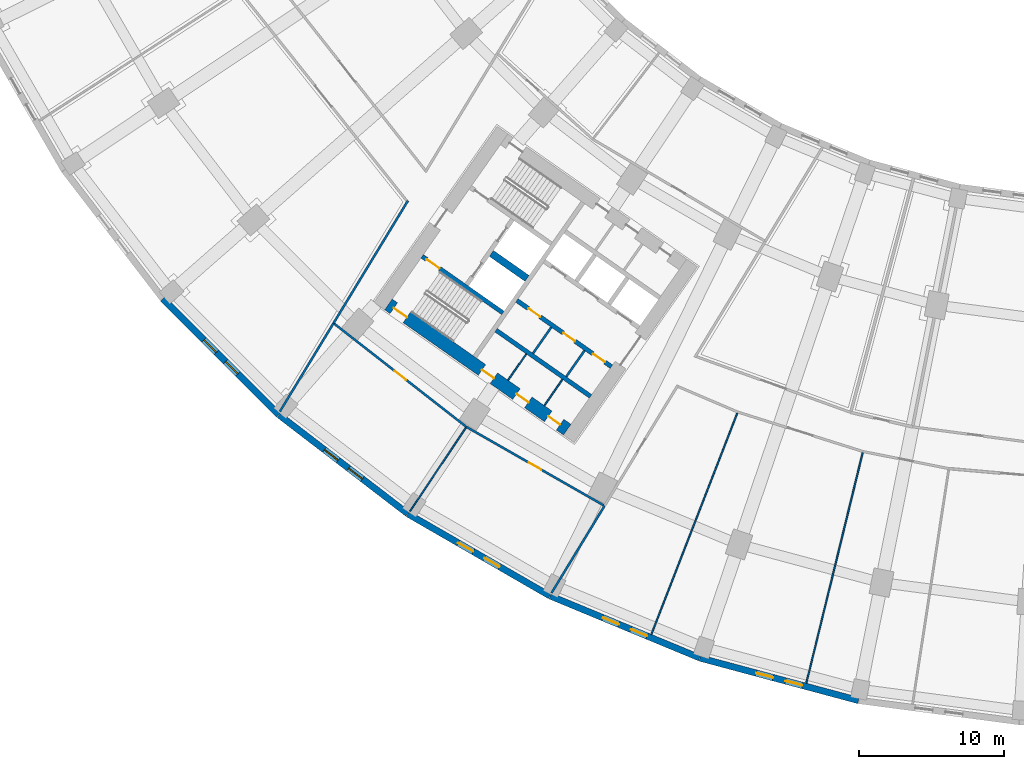
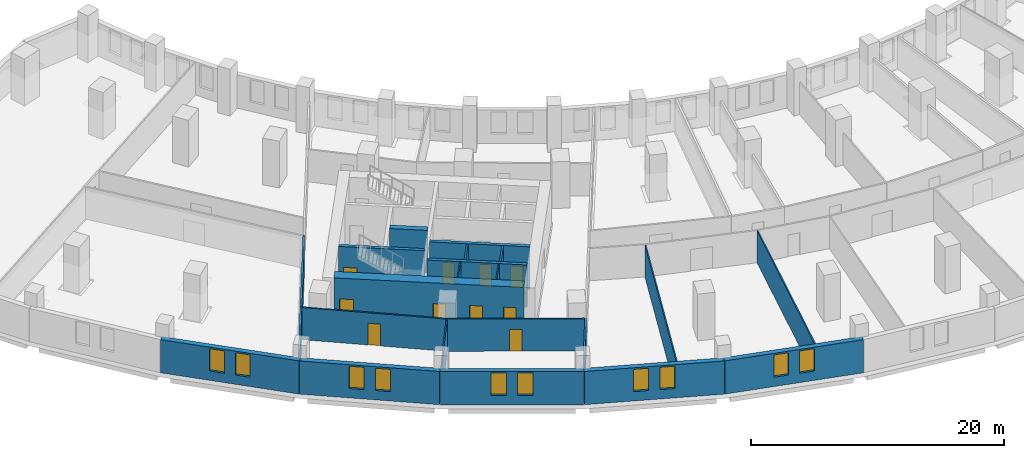
# One storey, part 5 of 20: 22 walls, 10 doors, 10 windows, 20 openings.
"""IFC4 building model written with IfcOpenShell, lengths in metres."""

import ifcopenshell
import ifcopenshell.guid

model = None  # the IFC model being written
_history = None  # IfcOwnerHistory: only IFC2X3 demands one
_inside = {}  # id of a spatial element -> (the spatial element, [elements in it])
_under = {}  # id of a project, library or spatial element -> (it, [spatial elements below it])
_declared = {}  # id of a project -> (the project, [libraries it declares])
_typed = {}  # id of a type object -> (the type object, [elements of that type])
_made_of = {}  # id of a material, layer set ... -> (it, [elements and type objects made of it])


def new_model(schema):
    """Start an empty IFC model of exactly this schema.

    Asked for "IFC4X3", IfcOpenShell would pick the latest addendum, in which some entities
    have other attributes; the version numbers below select the first issue.
    IFC2X3 requires an IfcOwnerHistory on every rooted entity: one is made here for all.
    """
    global model, _history
    if schema == "IFC4X3":
        model = ifcopenshell.file(schema_version=(4, 3, 0, 0))
    else:
        model = ifcopenshell.file(schema=schema)
    _inside.clear()
    _under.clear()
    _declared.clear()
    _typed.clear()
    _made_of.clear()
    _history = None
    if model.schema == "IFC2X3":
        org = make("IfcOrganization", Name="unknown")
        user = make(
            "IfcPersonAndOrganization",
            ThePerson=make("IfcPerson", FamilyName="unknown"),
            TheOrganization=org,
        )
        app = make(
            "IfcApplication",
            ApplicationDeveloper=org,
            Version="unknown",
            ApplicationFullName="unknown",
            ApplicationIdentifier="unknown",
        )
        _history = make(
            "IfcOwnerHistory",
            OwningUser=user,
            OwningApplication=app,
            ChangeAction="ADDED",
            CreationDate=0,
        )
    return model


def make(cls, **values):
    """One entity of the class cls with the attributes given. An attribute that is None is left unset."""
    return model.create_entity(
        cls, **{name: value for name, value in values.items() if value is not None}
    )


def rooted(cls, **values):
    """An entity with a GlobalId (a new one), such as an element, a storey or a relation."""
    return make(cls, GlobalId=ifcopenshell.guid.new(), OwnerHistory=_history, **values)


def si_unit(unit_type, name, prefix=None):
    """IfcSIUnit, for example si_unit("LENGTHUNIT", "METRE", prefix="MILLI")."""
    return make("IfcSIUnit", UnitType=unit_type, Prefix=prefix, Name=name)


def assignment(units):
    """IfcUnitAssignment: the units of a project."""
    return None if units is None else make("IfcUnitAssignment", Units=units)


def point(xyz):
    """IfcCartesianPoint."""
    return None if xyz is None else make("IfcCartesianPoint", Coordinates=xyz)


def direction(xyz):
    """IfcDirection."""
    return None if xyz is None else make("IfcDirection", DirectionRatios=xyz)


def frame(location, z_axis=None, x_axis=None):
    """IfcAxis2Placement3D, a coordinate frame: its origin and axes. An axis left out is left unset."""
    return make(
        "IfcAxis2Placement3D",
        Location=point(location),
        Axis=direction(z_axis),
        RefDirection=direction(x_axis),
    )


def frame_2d(location, x_axis=None):
    """IfcAxis2Placement2D, a coordinate frame in the plane: its origin and x axis."""
    return make(
        "IfcAxis2Placement2D", Location=point(location), RefDirection=direction(x_axis)
    )


def origin():
    """The frame at (0, 0, 0) with its axes left unset."""
    return frame((0.0, 0.0, 0.0))


def place(relative_to, where):
    """IfcLocalPlacement: puts the frame where relative to a parent placement (None: the world)."""
    return make(
        "IfcLocalPlacement", PlacementRelTo=relative_to, RelativePlacement=where
    )


def context(
    kind, dimensions, precision=None, world=None, true_north=None, identifier=None
):
    """IfcGeometricRepresentationContext, for example the 3D "Model" context."""
    return make(
        "IfcGeometricRepresentationContext",
        ContextIdentifier=identifier,
        ContextType=kind,
        CoordinateSpaceDimension=dimensions,
        Precision=precision,
        WorldCoordinateSystem=world,
        TrueNorth=true_north,
    )


def subcontext(parent, identifier, kind, view, scale=None):
    """IfcGeometricRepresentationSubContext, for example "Body" below "Model"."""
    return make(
        "IfcGeometricRepresentationSubContext",
        ContextIdentifier=identifier,
        ContextType=kind,
        ParentContext=parent,
        TargetScale=scale,
        TargetView=view,
    )


def project(units=None, contexts=None):
    """IfcProject with its units and contexts."""
    return rooted(
        "IfcProject",
        Name="project",
        RepresentationContexts=contexts,
        UnitsInContext=assignment(units),
    )


def spatial(cls, under=None, at=None, **own):
    """A site, building, storey or space (cls), placed at a placement, below another one or the project."""
    s = rooted(cls, ObjectPlacement=at, **own)
    if under is not None:
        _under.setdefault(under.id(), (under, []))[1].append(s)
    return s


def profile(cls, at=None, kind="AREA", **sizes):
    """A parametric profile (cls). Its sizes go by their IFC names, for example OverallWidth=200.0."""
    return make(cls, ProfileType=kind, Position=at, **sizes)


def rectangle(**sizes):
    """IfcRectangleProfileDef."""
    return profile("IfcRectangleProfileDef", **sizes)


def extrude(swept, where, along, depth):
    """IfcExtrudedAreaSolid: the profile swept, set in the frame where, extruded along a direction by depth."""
    return make(
        "IfcExtrudedAreaSolid",
        SweptArea=swept,
        Position=where,
        ExtrudedDirection=direction(along),
        Depth=depth,
    )


def shape(context_of_items, identifier, shape_type, items):
    """IfcShapeRepresentation: the items that make up one representation, for example the "Body"."""
    return make(
        "IfcShapeRepresentation",
        ContextOfItems=context_of_items,
        RepresentationIdentifier=identifier,
        RepresentationType=shape_type,
        Items=items,
    )


def material(Name=None, Category=None):
    """IfcMaterial."""
    return make("IfcMaterial", Name=Name, Category=Category)


def layer(
    of_material, thickness, ventilated=None, Name=None, Category=None, Priority=None
):
    """IfcMaterialLayer: one layer of a wall or slab, of a material (None: an air gap)."""
    return make(
        "IfcMaterialLayer",
        Material=of_material,
        LayerThickness=thickness,
        IsVentilated=ventilated,
        Name=Name,
        Category=Category,
        Priority=Priority,
    )


def layer_set(layers, Name=None):
    """IfcMaterialLayerSet."""
    return make("IfcMaterialLayerSet", MaterialLayers=layers, LayerSetName=Name)


def made_of(thing, what):
    """Note that an element or type object is made of a material, layer set ...; save() writes the relation."""
    if what is not None:
        _made_of.setdefault(what.id(), (what, []))[1].append(thing)
    return thing


def type_object(cls, material=None, **own):
    """A type object (cls), such as IfcWallType, which elements share."""
    return made_of(rooted(cls, **own), material)


def element(
    cls,
    number,
    at=None,
    inside=None,
    cuts=None,
    type_object=None,
    material=None,
    context=None,
    identifier="Body",
    shape_type=None,
    held_by="IfcProductDefinitionShape",
    body=None,
    shapes=None,
    **own,
):
    """One element of the class cls, such as IfcWall. Its Tag is "e" and its number.

    at: its placement. inside: the storey or other place that contains it. cuts: it is an
    opening in that element (IfcRelVoidsElement). A single representation is given by context,
    identifier, shape_type and body (its items); several are given by shapes. held_by: the class
    of the entity that holds the representations. save() writes the other relations.
    """
    e = rooted(cls, Tag="e%d" % number, ObjectPlacement=at, **own)
    if body is not None:
        shapes = [shape(context, identifier, shape_type, body)]
    if shapes is not None:
        e.Representation = make(held_by, Representations=shapes)
    if inside is not None:
        _inside.setdefault(inside.id(), (inside, []))[1].append(e)
    if cuts is not None:
        rooted(
            "IfcRelVoidsElement", RelatingBuildingElement=cuts, RelatedOpeningElement=e
        )
    if type_object is not None:
        _typed.setdefault(type_object.id(), (type_object, []))[1].append(e)
    return made_of(e, material)


def fill(opening, filler):
    """IfcRelFillsElement: the door or window that sits in an opening."""
    return rooted(
        "IfcRelFillsElement",
        RelatingOpeningElement=opening,
        RelatedBuildingElement=filler,
    )


def aggregate(whole, parts):
    """IfcRelAggregates: a whole, such as a stair, and the parts it consists of."""
    return rooted("IfcRelAggregates", RelatingObject=whole, RelatedObjects=parts)


def save(model, path):
    """Write the relations noted so far, then the file.

    IfcRelAggregates (storeys below a building ...), IfcRelContainedInSpatialStructure (elements
    in a storey), IfcRelDefinesByType, IfcRelAssociatesMaterial and IfcRelDeclares: one each for
    every whole, place, type object, material and project.
    """
    for whole, parts in _under.values():
        aggregate(whole, parts)
    for where, things in _inside.values():
        rooted(
            "IfcRelContainedInSpatialStructure",
            RelatedElements=things,
            RelatingStructure=where,
        )
    for kind, things in _typed.values():
        rooted("IfcRelDefinesByType", RelatedObjects=things, RelatingType=kind)
    for what, things in _made_of.values():
        rooted("IfcRelAssociatesMaterial", RelatedObjects=things, RelatingMaterial=what)
    for by, libraries in _declared.values():
        rooted("IfcRelDeclares", RelatingContext=by, RelatedDefinitions=libraries)
    model.write(path)


model = new_model("IFC4")

# Units and contexts
model_context = context("Model", 3, precision=1e-05, world=origin(), true_north=direction((0.0, 1.0)))
body_context = subcontext(model_context, "Body", "Model", "MODEL_VIEW")
ifc_project = project(units=[si_unit("LENGTHUNIT", "METRE"), si_unit("AREAUNIT", "SQUARE_METRE"), si_unit("VOLUMEUNIT", "CUBIC_METRE"), si_unit("PLANEANGLEUNIT", "RADIAN"), si_unit("MASSUNIT", "GRAM", prefix="KILO")], contexts=[model_context])

# Site, building, storey
site_placement = place(None, origin())
site = spatial("IfcSite", under=ifc_project, at=site_placement, CompositionType="ELEMENT")
building_placement = place(site_placement, origin())
building = spatial("IfcBuilding", under=site, at=building_placement, Name="Qamariyya Broadcast Tower", CompositionType="ELEMENT")
storey_placement = place(building_placement, frame((0.0, 0.0, 31.5)))
storey = spatial("IfcBuildingStorey", under=building, at=storey_placement, Name="L04", CompositionType="ELEMENT", Elevation=31.5)

# Wall, openings, doors
ifc_material_1 = material(Name="Concrete C70/85", Category="concrete")
ifc_layer_1 = layer(ifc_material_1, 0.89990234375)
ifc_layer_set_1 = layer_set([ifc_layer_1], Name="Core wall 900 mm Concrete C70/85")
wall_type_1 = type_object("IfcWallType", Name="Core wall 900 mm Concrete C70/85", PredefinedType="SHEAR", material=ifc_layer_set_1)
wall_1_placement = place(storey_placement, frame((-36.827392578125, -65.710205078125, 0.0), z_axis=(0.0, 0.0, 1.0), x_axis=(-0.819153391756, 0.573574511963, 0.0)))
wall_1 = element("IfcWall", 1, at=wall_1_placement, inside=storey, type_object=wall_type_1, Name="k-W-L04-WO", PredefinedType="SHEAR", context=body_context, shape_type="SweptSolid", body=[
    extrude(rectangle(XDim=15.04541015625, YDim=0.89990234375, at=frame_2d((7.522705078125, 0.0))), origin(), (0.0, 0.0, 1.0), 4.10009765625),
])
opening_1_placement = place(wall_1_placement, frame((0.60009765625, 0.0, 0.0)))
opening_1 = element("IfcOpeningElement", 2, at=opening_1_placement, cuts=wall_1, Name="Opening KD4-W1", PredefinedType="OPENING", context=body_context, shape_type="SweptSolid", body=[
    extrude(rectangle(XDim=1.0, YDim=2.10009765625, at=frame_2d((0.5, 1.050048828125))), frame((0.0, 0.4599609375, 0.0), z_axis=(0.0, -1.0, 0.0), x_axis=(1.0, 0.0, 0.0)), (0.0, 0.0, 1.0), 0.919921875),
])
opening_2_placement = place(wall_1_placement, frame((3.27490234375, 0.0, 0.0)))
opening_2 = element("IfcOpeningElement", 3, at=opening_2_placement, cuts=wall_1, Name="Opening KD4-W2", PredefinedType="OPENING", context=body_context, shape_type="SweptSolid", body=[
    extrude(rectangle(XDim=1.0, YDim=2.10009765625, at=frame_2d((0.5, 1.050048828125))), frame((0.0, 0.4599609375, 0.0), z_axis=(0.0, -1.0, 0.0), x_axis=(1.0, 0.0, 0.0)), (0.0, 0.0, 1.0), 0.919921875),
])
opening_3_placement = place(wall_1_placement, frame((6.175048828125, 0.0, 0.0)))
opening_3 = element("IfcOpeningElement", 4, at=opening_3_placement, cuts=wall_1, Name="Opening KD4-W3", PredefinedType="OPENING", context=body_context, shape_type="SweptSolid", body=[
    extrude(rectangle(XDim=1.0, YDim=2.10009765625, at=frame_2d((0.5, 1.050048828125))), frame((0.0, 0.4599609375, 0.0), z_axis=(0.0, -1.0, 0.0), x_axis=(1.0, 0.0, 0.0)), (0.0, 0.0, 1.0), 0.919921875),
])
opening_4_placement = place(wall_1_placement, frame((13.495361328125, 0.0, 0.0)))
opening_4 = element("IfcOpeningElement", 5, at=opening_4_placement, cuts=wall_1, Name="Opening KD1-W3", PredefinedType="OPENING", context=body_context, shape_type="SweptSolid", body=[
    extrude(rectangle(XDim=1.10009765625, YDim=2.10009765625, at=frame_2d((0.550048828125, 1.050048828125))), frame((0.0, 0.4599609375, 0.0), z_axis=(0.0, -1.0, 0.0), x_axis=(1.0, 0.0, 0.0)), (0.0, 0.0, 1.0), 0.919921875),
])
ifc_material_2 = material(Name="Steel fire-resisting door leaf", Category="steel")
door_type_1 = type_object("IfcDoorType", Name="Riser and plant door KD4", OperationType="SINGLE_SWING_LEFT", PredefinedType="DOOR", material=ifc_material_2)
door_1_placement = place(opening_1_placement, origin())
door_1 = element("IfcDoor", 6, at=door_1_placement, inside=storey, type_object=door_type_1, Name="k-W-L04-WO-D11", OperationType="SINGLE_SWING_RIGHT", OverallHeight=2.10009765625, OverallWidth=1.0, PredefinedType="DOOR", context=body_context, shape_type="SweptSolid", body=[
    extrude(rectangle(XDim=1.0, YDim=2.10009765625, at=frame_2d((0.5, 1.050048828125))), frame((0.0, 0.02490234375, 0.0), z_axis=(0.0, -1.0, 0.0), x_axis=(1.0, 0.0, 0.0)), (0.0, 0.0, 1.0), 0.050048828125),
])
fill(opening_1, door_1)
door_2_placement = place(opening_2_placement, origin())
door_2 = element("IfcDoor", 7, at=door_2_placement, inside=storey, type_object=door_type_1, Name="k-W-L04-WO-D12", OperationType="SINGLE_SWING_LEFT", OverallHeight=2.10009765625, OverallWidth=1.0, PredefinedType="DOOR", context=body_context, shape_type="SweptSolid", body=[
    extrude(rectangle(XDim=1.0, YDim=2.10009765625, at=frame_2d((0.5, 1.050048828125))), frame((0.0, 0.02490234375, 0.0), z_axis=(0.0, -1.0, 0.0), x_axis=(1.0, 0.0, 0.0)), (0.0, 0.0, 1.0), 0.050048828125),
])
fill(opening_2, door_2)
door_3_placement = place(opening_3_placement, origin())
door_3 = element("IfcDoor", 8, at=door_3_placement, inside=storey, type_object=door_type_1, Name="k-W-L04-WO-D13", OperationType="SINGLE_SWING_RIGHT", OverallHeight=2.10009765625, OverallWidth=1.0, PredefinedType="DOOR", context=body_context, shape_type="SweptSolid", body=[
    extrude(rectangle(XDim=1.0, YDim=2.10009765625, at=frame_2d((0.5, 1.050048828125))), frame((0.0, 0.02490234375, 0.0), z_axis=(0.0, -1.0, 0.0), x_axis=(1.0, 0.0, 0.0)), (0.0, 0.0, 1.0), 0.050048828125),
])
fill(opening_3, door_3)
door_type_2 = type_object("IfcDoorType", Name="Stair door KD1", OperationType="SINGLE_SWING_LEFT", PredefinedType="DOOR", material=ifc_material_2)
door_4_placement = place(opening_4_placement, origin())
door_4 = element("IfcDoor", 9, at=door_4_placement, inside=storey, type_object=door_type_2, Name="k-W-L04-WO-D19", OperationType="SINGLE_SWING_LEFT", OverallHeight=2.10009765625, OverallWidth=1.10009765625, PredefinedType="DOOR", context=body_context, shape_type="SweptSolid", body=[
    extrude(rectangle(XDim=1.10009765625, YDim=2.10009765625, at=frame_2d((0.550048828125, 1.050048828125))), frame((0.0, 0.02490234375, 0.0), z_axis=(0.0, -1.0, 0.0), x_axis=(1.0, 0.0, 0.0)), (0.0, 0.0, 1.0), 0.050048828125),
])
fill(opening_4, door_4)

# Wall
ifc_material_3 = material(Name="Gypsum board partition")
ifc_layer_2 = layer(ifc_material_3, 0.14990234375)
ifc_layer_set_2 = layer_set([ifc_layer_2], Name="Corridor partition 150 EI 60")
wall_type_2 = type_object("IfcWallType", Name="Corridor partition 150 EI 60", PredefinedType="PARTITIONING", material=ifc_layer_set_2)
wall_2_placement = place(storey_placement, frame((-52.935791015625, -58.37158203125, 0.0), z_axis=(0.0, 0.0, 1.0), x_axis=(-0.519148894699, -0.854683815883, 0.0)))
element("IfcWall", 10, at=wall_2_placement, inside=storey, type_object=wall_type_2, Name="Partition L04-004", PredefinedType="PARTITIONING", context=body_context, shape_type="SweptSolid", body=[
    extrude(rectangle(XDim=7.12548828125, YDim=0.14990234375, at=frame_2d((3.562744140625, 0.0))), origin(), (0.0, 0.0, 1.0), 3.10009765625),
])

# Wall, opening, door
wall_3_placement = place(storey_placement, frame((-43.779052734375, -65.519775390625, 0.0), z_axis=(0.0, 0.0, 1.0), x_axis=(-0.788255221118, 0.615348443063, 0.0)))
wall_3 = element("IfcWall", 11, at=wall_3_placement, inside=storey, type_object=wall_type_2, Name="Partition L04-005", PredefinedType="PARTITIONING", context=body_context, shape_type="SweptSolid", body=[
    extrude(rectangle(XDim=11.54150390625, YDim=0.14990234375, at=frame_2d((5.770751953125, 0.0))), origin(), (0.0, 0.0, 1.0), 3.10009765625),
])
opening_5_placement = place(wall_3_placement, frame((5.270751953125, 0.0, 0.0)))
opening_5 = element("IfcOpeningElement", 12, at=opening_5_placement, cuts=wall_3, Name="Opening L04-D17", PredefinedType="OPENING", context=body_context, shape_type="SweptSolid", body=[
    extrude(rectangle(XDim=1.0, YDim=2.10009765625, at=frame_2d((0.5, 1.050048828125))), frame((0.0, 0.0849609375, 0.0), z_axis=(0.0, -1.0, 0.0), x_axis=(1.0, 0.0, 0.0)), (0.0, 0.0, 1.0), 0.169921875),
])
ifc_material_4 = material(Name="Timber fire door leaf", Category="wood")
door_type_3 = type_object("IfcDoorType", Name="Fire door 1000 x 2100 FD60", OperationType="NOTDEFINED", PredefinedType="DOOR", material=ifc_material_4)
door_5_placement = place(opening_5_placement, origin())
door_5 = element("IfcDoor", 13, at=door_5_placement, inside=storey, type_object=door_type_3, Name="Door L04-D17", OperationType="SINGLE_SWING_RIGHT", OverallHeight=2.10009765625, OverallWidth=1.0, PredefinedType="DOOR", context=body_context, shape_type="SweptSolid", body=[
    extrude(rectangle(XDim=1.0, YDim=2.10009765625, at=frame_2d((0.5, 1.050048828125))), frame((0.0, 0.02490234375, 0.0), z_axis=(0.0, -1.0, 0.0), x_axis=(1.0, 0.0, 0.0)), (0.0, 0.0, 1.0), 0.050048828125),
])
fill(opening_5, door_5)

# Wall
wall_4_placement = place(storey_placement, frame((-47.8076171875, -49.929443359375, 0.0), z_axis=(0.0, 0.0, 1.0), x_axis=(-0.519169679695, -0.854671190392, 0.0)))
element("IfcWall", 14, at=wall_4_placement, inside=storey, type_object=wall_type_2, Name="Partition L04-008", PredefinedType="PARTITIONING", context=body_context, shape_type="SweptSolid", body=[
    extrude(rectangle(XDim=9.877685546875, YDim=0.14990234375, at=frame_2d((4.93896484375, 0.0))), origin(), (0.0, 0.0, 1.0), 3.10009765625),
])

# Wall, opening, door
wall_5_placement = place(storey_placement, frame((-34.3251953125, -70.92529296875, 0.0), z_axis=(0.0, 0.0, 1.0), x_axis=(-0.868112049759, 0.496368279671, 0.0)))
wall_5 = element("IfcWall", 15, at=wall_5_placement, inside=storey, type_object=wall_type_2, Name="Partition L04-010", PredefinedType="PARTITIONING", context=body_context, shape_type="SweptSolid", body=[
    extrude(rectangle(XDim=10.89013671875, YDim=0.14990234375, at=frame_2d((5.445068359375, 0.0))), origin(), (0.0, 0.0, 1.0), 3.10009765625),
])
opening_6_placement = place(wall_5_placement, frame((4.945068359375, 0.0, 0.0)))
opening_6 = element("IfcOpeningElement", 16, at=opening_6_placement, cuts=wall_5, Name="Opening L04-D18", PredefinedType="OPENING", context=body_context, shape_type="SweptSolid", body=[
    extrude(rectangle(XDim=1.0, YDim=2.10009765625, at=frame_2d((0.5, 1.050048828125))), frame((0.0, 0.0849609375, 0.0), z_axis=(0.0, -1.0, 0.0), x_axis=(1.0, 0.0, 0.0)), (0.0, 0.0, 1.0), 0.169921875),
])
door_6_placement = place(opening_6_placement, origin())
door_6 = element("IfcDoor", 17, at=door_6_placement, inside=storey, type_object=door_type_3, Name="Door L04-D18", OperationType="SINGLE_SWING_RIGHT", OverallHeight=2.10009765625, OverallWidth=1.0, PredefinedType="DOOR", context=body_context, shape_type="SweptSolid", body=[
    extrude(rectangle(XDim=1.0, YDim=2.10009765625, at=frame_2d((0.5, 1.050048828125))), frame((0.0, 0.02490234375, 0.0), z_axis=(0.0, -1.0, 0.0), x_axis=(1.0, 0.0, 0.0)), (0.0, 0.0, 1.0), 0.050048828125),
])
fill(opening_6, door_6)

# Walls
wall_6_placement = place(storey_placement, frame((-34.260009765625, -70.962646484375, 0.0), z_axis=(0.0, 0.0, 1.0), x_axis=(-0.519582317334, -0.854420397412, 0.0)))
element("IfcWall", 18, at=wall_6_placement, inside=storey, type_object=wall_type_2, Name="Partition L04-015", PredefinedType="PARTITIONING", context=body_context, shape_type="SweptSolid", body=[
    extrude(rectangle(XDim=7.03173828125, YDim=0.14990234375, at=frame_2d((3.515869140625, 0.0))), origin(), (0.0, 0.0, 1.0), 3.10009765625),
])
ifc_material_5 = material(Name="Concrete C60/75", Category="concrete")
ifc_layer_3 = layer(ifc_material_5, 0.5)
ifc_layer_set_3 = layer_set([ifc_layer_3], Name="Fire-fighting lobby divider wall 500 mm Concrete C60/75")
wall_type_3 = type_object("IfcWallType", Name="Fire-fighting lobby divider wall 500 mm Concrete C60/75", PredefinedType="SOLIDWALL", material=ifc_layer_set_3)
wall_7_placement = place(storey_placement, frame((-39.59912109375, -55.28515625, 0.0), z_axis=(0.0, 0.0, 1.0), x_axis=(-0.819136323161, 0.573598887793, 0.0)))
element("IfcWall", 19, at=wall_7_placement, inside=storey, type_object=wall_type_3, Name="k-W-L04-FD", PredefinedType="SOLIDWALL", context=body_context, shape_type="SweptSolid", body=[
    extrude(rectangle(XDim=2.999755859375, YDim=0.5, at=frame_2d((1.5, 0.0))), origin(), (0.0, 0.0, 1.0), 4.10009765625),
])
ifc_material_6 = material(Name="Gypsum board partition on steel studs", Category="steel")
ifc_layer_4 = layer(ifc_material_6, 0.14990234375)
ifc_layer_set_4 = layer_set([ifc_layer_4], Name="Gypsum board partition 150 mm")
wall_type_4 = type_object("IfcWallType", Name="Gypsum board partition 150 mm", PredefinedType="PARTITIONING", material=ifc_layer_set_4)
for number, where, z_axis, x_axis, name in (
    (20, (-35.634521484375, -60.25830078125, 0.0), (0.0, 0.0, 1.0), (-0.573581496053, -0.819148501424, 0.0), "k-W-L04-SC215"),
    (21, (-37.92822265625, -58.65234375, 0.0), (0.0, 0.0, 1.0), (-0.573581496053, -0.819148501424, 0.0), "k-W-L04-SC495"),
):
    element("IfcWall", number, at=place(storey_placement, frame(where, z_axis=z_axis, x_axis=x_axis)), inside=storey, type_object=wall_type_4, Name=name, PredefinedType="PARTITIONING", context=body_context, shape_type="SweptSolid", body=[
        extrude(rectangle(XDim=2.2001953125, YDim=0.14990234375, at=frame_2d((1.10009765625, 0.0))), origin(), (0.0, 0.0, 1.0), 4.10009765625),
    ])

# Wall, openings, doors
ifc_layer_5 = layer(ifc_material_5, 0.300048828125)
ifc_layer_set_5 = layer_set([ifc_layer_5], Name="Lift shaft wall 300 mm Concrete C60/75")
wall_type_5 = type_object("IfcWallType", Name="Lift shaft wall 300 mm Concrete C60/75", PredefinedType="SOLIDWALL", material=ifc_layer_set_5)
wall_8_placement = place(storey_placement, frame((-33.787353515625, -61.368896484375, 0.0), z_axis=(0.0, 0.0, 1.0), x_axis=(-0.819152564888, 0.573575692858, 0.0)))
wall_8 = element("IfcWall", 22, at=wall_8_placement, inside=storey, type_object=wall_type_5, Name="k-W-L04-SF0", PredefinedType="SOLIDWALL", context=body_context, shape_type="SweptSolid", body=[
    extrude(rectangle(XDim=7.9501953125, YDim=0.300048828125, at=frame_2d((3.97509765625, 0.0))), origin(), (0.0, 0.0, 1.0), 4.10009765625),
])
opening_7_placement = place(wall_8_placement, frame((0.53759765625, 0.0, 0.0)))
opening_7 = element("IfcOpeningElement", 23, at=opening_7_placement, cuts=wall_8, Name="Opening KD6-W1", PredefinedType="OPENING", context=body_context, shape_type="SweptSolid", body=[
    extrude(rectangle(XDim=1.0, YDim=2.10009765625, at=frame_2d((0.5, 1.050048828125))), frame((0.0, 0.159912109375, 0.0), z_axis=(0.0, -1.0, 0.0), x_axis=(1.0, 0.0, 0.0)), (0.0, 0.0, 1.0), 0.320068359375),
])
opening_8_placement = place(wall_8_placement, frame((3.050048828125, 0.0, 0.0)))
opening_8 = element("IfcOpeningElement", 24, at=opening_8_placement, cuts=wall_8, Name="Opening KD6-W2", PredefinedType="OPENING", context=body_context, shape_type="SweptSolid", body=[
    extrude(rectangle(XDim=1.0, YDim=2.10009765625, at=frame_2d((0.5, 1.050048828125))), frame((0.0, 0.159912109375, 0.0), z_axis=(0.0, -1.0, 0.0), x_axis=(1.0, 0.0, 0.0)), (0.0, 0.0, 1.0), 0.320068359375),
])
opening_9_placement = place(wall_8_placement, frame((5.987548828125, 0.0, 0.0)))
opening_9 = element("IfcOpeningElement", 25, at=opening_9_placement, cuts=wall_8, Name="Opening KD6-W3", PredefinedType="OPENING", context=body_context, shape_type="SweptSolid", body=[
    extrude(rectangle(XDim=1.0, YDim=2.10009765625, at=frame_2d((0.5, 1.050048828125))), frame((0.0, 0.159912109375, 0.0), z_axis=(0.0, -1.0, 0.0), x_axis=(1.0, 0.0, 0.0)), (0.0, 0.0, 1.0), 0.320068359375),
])
door_type_4 = type_object("IfcDoorType", Name="Core room door KD6", OperationType="SINGLE_SWING_LEFT", PredefinedType="DOOR", material=ifc_material_2)
door_7_placement = place(opening_7_placement, origin())
door_7 = element("IfcDoor", 26, at=door_7_placement, inside=storey, type_object=door_type_4, Name="k-W-L04-SF0-D5", OperationType="SINGLE_SWING_RIGHT", OverallHeight=2.10009765625, OverallWidth=1.0, PredefinedType="DOOR", context=body_context, shape_type="SweptSolid", body=[
    extrude(rectangle(XDim=1.0, YDim=2.10009765625, at=frame_2d((0.5, 1.050048828125))), frame((0.0, 0.02490234375, 0.0), z_axis=(0.0, -1.0, 0.0), x_axis=(1.0, 0.0, 0.0)), (0.0, 0.0, 1.0), 0.050048828125),
])
fill(opening_7, door_7)
door_8_placement = place(opening_8_placement, origin())
door_8 = element("IfcDoor", 27, at=door_8_placement, inside=storey, type_object=door_type_4, Name="k-W-L04-SF0-D6", OperationType="SINGLE_SWING_LEFT", OverallHeight=2.10009765625, OverallWidth=1.0, PredefinedType="DOOR", context=body_context, shape_type="SweptSolid", body=[
    extrude(rectangle(XDim=1.0, YDim=2.10009765625, at=frame_2d((0.5, 1.050048828125))), frame((0.0, 0.02490234375, 0.0), z_axis=(0.0, -1.0, 0.0), x_axis=(1.0, 0.0, 0.0)), (0.0, 0.0, 1.0), 0.050048828125),
])
fill(opening_8, door_8)
door_9_placement = place(opening_9_placement, origin())
door_9 = element("IfcDoor", 28, at=door_9_placement, inside=storey, type_object=door_type_4, Name="k-W-L04-SF0-D7", OperationType="SINGLE_SWING_RIGHT", OverallHeight=2.10009765625, OverallWidth=1.0, PredefinedType="DOOR", context=body_context, shape_type="SweptSolid", body=[
    extrude(rectangle(XDim=1.0, YDim=2.10009765625, at=frame_2d((0.5, 1.050048828125))), frame((0.0, 0.02490234375, 0.0), z_axis=(0.0, -1.0, 0.0), x_axis=(1.0, 0.0, 0.0)), (0.0, 0.0, 1.0), 0.050048828125),
])
fill(opening_9, door_9)

# Wall
wall_9_placement = place(storey_placement, frame((-35.22119140625, -63.41650390625, 0.0), z_axis=(0.0, 0.0, 1.0), x_axis=(-0.819166993208, 0.573555086491, 0.0)))
element("IfcWall", 29, at=wall_9_placement, inside=storey, type_object=wall_type_5, Name="k-W-L04-SB0", PredefinedType="SOLIDWALL", context=body_context, shape_type="SweptSolid", body=[
    extrude(rectangle(XDim=7.9501953125, YDim=0.300048828125, at=frame_2d((3.97509765625, 0.0))), origin(), (0.0, 0.0, 1.0), 4.10009765625),
])

# Wall, opening, door
wall_10_placement = place(storey_placement, frame((-41.262451171875, -57.66064453125, 0.0), z_axis=(0.0, 0.0, 1.0), x_axis=(-0.819164398642, 0.573558792102, 0.0)))
wall_10 = element("IfcWall", 30, at=wall_10_placement, inside=storey, type_object=wall_type_5, Name="k-W-L04-SW", PredefinedType="SOLIDWALL", context=body_context, shape_type="SweptSolid", body=[
    extrude(rectangle(XDim=6.795166015625, YDim=0.300048828125, at=frame_2d((3.3974609375, 0.0))), origin(), (0.0, 0.0, 1.0), 4.10009765625),
])
opening_10_placement = place(wall_10_placement, frame((5.3203125, 0.0, 0.0)))
opening_10 = element("IfcOpeningElement", 31, at=opening_10_placement, cuts=wall_10, Name="Opening KD1-W4", PredefinedType="OPENING", context=body_context, shape_type="SweptSolid", body=[
    extrude(rectangle(XDim=1.10009765625, YDim=2.10009765625, at=frame_2d((0.550048828125, 1.050048828125))), frame((0.0, 0.159912109375, 0.0), z_axis=(0.0, -1.0, 0.0), x_axis=(1.0, 0.0, 0.0)), (0.0, 0.0, 1.0), 0.320068359375),
])
door_10_placement = place(opening_10_placement, origin())
door_10 = element("IfcDoor", 32, at=door_10_placement, inside=storey, type_object=door_type_2, Name="k-W-L04-SW-D20", OperationType="SINGLE_SWING_LEFT", OverallHeight=2.10009765625, OverallWidth=1.10009765625, PredefinedType="DOOR", context=body_context, shape_type="SweptSolid", body=[
    extrude(rectangle(XDim=1.10009765625, YDim=2.10009765625, at=frame_2d((0.550048828125, 1.050048828125))), frame((0.0, 0.02490234375, 0.0), z_axis=(0.0, -1.0, 0.0), x_axis=(1.0, 0.0, 0.0)), (0.0, 0.0, 1.0), 0.050048828125),
])
fill(opening_10, door_10)

# Walls
ifc_layer_6 = layer(ifc_material_3, 0.10009765625)
ifc_layer_set_6 = layer_set([ifc_layer_6], Name="Partition 100")
wall_type_6 = type_object("IfcWallType", Name="Partition 100", PredefinedType="PARTITIONING", material=ifc_layer_set_6)
wall_11_placement = place(storey_placement, frame((-47.66796875, -71.340087890625, 0.0), z_axis=(0.0, 0.0, 1.0), x_axis=(0.55558668503, 0.831458619185, 0.0)))
element("IfcWall", 33, at=wall_11_placement, inside=storey, type_object=wall_type_6, Name="Partition L04-006", PredefinedType="PARTITIONING", context=body_context, shape_type="SweptSolid", body=[
    extrude(rectangle(XDim=6.925048828125, YDim=0.10009765625, at=frame_2d((3.46240234375, 0.0))), origin(), (0.0, 0.0, 1.0), 3.10009765625),
])
for number, where, z_axis, x_axis, name in (
    (34, (-31.035400390625, -79.814208984375, 0.0), (0.0, 0.0, 1.0), (0.362399453939, 0.932022872995, 0.0), "Partition L04-016"),
    (35, (-20.35205078125, -83.182373046875, 0.0), (0.0, 0.0, 1.0), (0.23765209547, 0.971350339228, 0.0), "Partition L04-023"),
):
    element("IfcWall", number, at=place(storey_placement, frame(where, z_axis=z_axis, x_axis=x_axis)), inside=storey, type_object=wall_type_6, Name=name, PredefinedType="PARTITIONING", context=body_context, shape_type="SweptSolid", body=[
        extrude(rectangle(XDim=16.36083984375, YDim=0.10009765625, at=frame_2d((8.180419921875, 0.0))), origin(), (0.0, 0.0, 1.0), 3.10009765625),
    ])

# Wall, openings, windows
ifc_material_7 = material(Name="Precast concrete C40/50 with terracotta facing", Category="masonry")
ifc_layer_7 = layer(ifc_material_7, 0.449951171875)
ifc_layer_set_7 = layer_set([ifc_layer_7], Name="Precast concrete C40/50 wall 450, terracotta faced")
wall_type_7 = type_object("IfcWallType", Name="Precast concrete C40/50 wall 450, terracotta faced", PredefinedType="SOLIDWALL", material=ifc_layer_set_7)
wall_12_placement = place(storey_placement, frame((-64.69775390625, -56.69873046875, 0.0), z_axis=(0.0, 0.0, 1.0), x_axis=(0.707106781187, -0.707106781187, 0.0)))
wall_12 = element("IfcWall", 36, at=wall_12_placement, inside=storey, type_object=wall_type_7, Name="e-wl-L04-out40", PredefinedType="SOLIDWALL", context=body_context, shape_type="SweptSolid", body=[
    extrude(rectangle(XDim=11.312255859375, YDim=0.449951171875, at=frame_2d((5.65625, 0.0))), origin(), (0.0, 0.0, 1.0), 3.199951171875),
])
opening_11_placement = place(wall_12_placement, frame((4.00634765625, 0.0, 0.89990234375)))
opening_11 = element("IfcOpeningElement", 37, at=opening_11_placement, cuts=wall_12, Name="Opening W3", PredefinedType="OPENING", context=body_context, shape_type="SweptSolid", body=[
    extrude(rectangle(XDim=1.199951171875, YDim=2.14990234375, at=frame_2d((0.60009765625, 1.074951171875))), frame((0.0, 0.23486328125, 0.0), z_axis=(0.0, -1.0, 0.0), x_axis=(1.0, 0.0, 0.0)), (0.0, 0.0, 1.0), 0.469970703125),
])
opening_12_placement = place(wall_12_placement, frame((6.106201171875, 0.0, 0.89990234375)))
opening_12 = element("IfcOpeningElement", 38, at=opening_12_placement, cuts=wall_12, Name="Opening W3", PredefinedType="OPENING", context=body_context, shape_type="SweptSolid", body=[
    extrude(rectangle(XDim=1.199951171875, YDim=2.14990234375, at=frame_2d((0.60009765625, 1.074951171875))), frame((0.0, 0.23486328125, 0.0), z_axis=(0.0, -1.0, 0.0), x_axis=(1.0, 0.0, 0.0)), (0.0, 0.0, 1.0), 0.469970703125),
])
ifc_material_8 = material(Name="Clear low-e double glazed unit in aluminium frame", Category="aluminium")
window_type = type_object("IfcWindowType", Name="Podium window 1200 x 2150", PartitioningType="SINGLE_PANEL", PredefinedType="WINDOW", material=ifc_material_8)
window_1_placement = place(opening_11_placement, origin())
window_1 = element("IfcWindow", 39, at=window_1_placement, inside=storey, type_object=window_type, Name="e-w-L04-out04a", OverallHeight=2.14990234375, OverallWidth=1.199951171875, PartitioningType="SINGLE_PANEL", PredefinedType="WINDOW", context=body_context, shape_type="SweptSolid", body=[
    extrude(rectangle(XDim=1.199951171875, YDim=2.14990234375, at=frame_2d((0.60009765625, 1.074951171875))), frame((0.0, 0.030029296875, 0.0), z_axis=(0.0, -1.0, 0.0), x_axis=(1.0, 0.0, 0.0)), (0.0, 0.0, 1.0), 0.06005859375),
])
fill(opening_11, window_1)
window_2_placement = place(opening_12_placement, origin())
window_2 = element("IfcWindow", 40, at=window_2_placement, inside=storey, type_object=window_type, Name="e-w-L04-out04b", OverallHeight=2.14990234375, OverallWidth=1.199951171875, PartitioningType="SINGLE_PANEL", PredefinedType="WINDOW", context=body_context, shape_type="SweptSolid", body=[
    extrude(rectangle(XDim=1.199951171875, YDim=2.14990234375, at=frame_2d((0.60009765625, 1.074951171875))), frame((0.0, 0.030029296875, 0.0), z_axis=(0.0, -1.0, 0.0), x_axis=(1.0, 0.0, 0.0)), (0.0, 0.0, 1.0), 0.06005859375),
])
fill(opening_12, window_2)

wall_13_placement = place(storey_placement, frame((-56.673095703125, -64.712646484375, 0.0), z_axis=(0.0, 0.0, 1.0), x_axis=(0.793355377778, -0.608758773695, 0.0)))
wall_13 = element("IfcWall", 41, at=wall_13_placement, inside=storey, type_object=wall_type_7, Name="e-wl-L04-out50", PredefinedType="SOLIDWALL", context=body_context, shape_type="SweptSolid", body=[
    extrude(rectangle(XDim=11.134765625, YDim=0.449951171875, at=frame_2d((5.5673828125, 0.0))), origin(), (0.0, 0.0, 1.0), 3.199951171875),
])
opening_13_placement = place(wall_13_placement, frame((3.917236328125, 0.0, 0.89990234375)))
opening_13 = element("IfcOpeningElement", 42, at=opening_13_placement, cuts=wall_13, Name="Opening W3", PredefinedType="OPENING", context=body_context, shape_type="SweptSolid", body=[
    extrude(rectangle(XDim=1.199951171875, YDim=2.14990234375, at=frame_2d((0.60009765625, 1.074951171875))), frame((0.0, 0.23486328125, 0.0), z_axis=(0.0, -1.0, 0.0), x_axis=(1.0, 0.0, 0.0)), (0.0, 0.0, 1.0), 0.469970703125),
])
opening_14_placement = place(wall_13_placement, frame((6.017333984375, 0.0, 0.89990234375)))
opening_14 = element("IfcOpeningElement", 43, at=opening_14_placement, cuts=wall_13, Name="Opening W3", PredefinedType="OPENING", context=body_context, shape_type="SweptSolid", body=[
    extrude(rectangle(XDim=1.199951171875, YDim=2.14990234375, at=frame_2d((0.60009765625, 1.074951171875))), frame((0.0, 0.23486328125, 0.0), z_axis=(0.0, -1.0, 0.0), x_axis=(1.0, 0.0, 0.0)), (0.0, 0.0, 1.0), 0.469970703125),
])
window_3_placement = place(opening_13_placement, origin())
window_3 = element("IfcWindow", 44, at=window_3_placement, inside=storey, type_object=window_type, Name="e-w-L04-out05a", OverallHeight=2.14990234375, OverallWidth=1.199951171875, PartitioningType="SINGLE_PANEL", PredefinedType="WINDOW", context=body_context, shape_type="SweptSolid", body=[
    extrude(rectangle(XDim=1.199951171875, YDim=2.14990234375, at=frame_2d((0.60009765625, 1.074951171875))), frame((0.0, 0.030029296875, 0.0), z_axis=(0.0, -1.0, 0.0), x_axis=(1.0, 0.0, 0.0)), (0.0, 0.0, 1.0), 0.06005859375),
])
fill(opening_13, window_3)
window_4_placement = place(opening_14_placement, origin())
window_4 = element("IfcWindow", 45, at=window_4_placement, inside=storey, type_object=window_type, Name="e-w-L04-out05b", OverallHeight=2.14990234375, OverallWidth=1.199951171875, PartitioningType="SINGLE_PANEL", PredefinedType="WINDOW", context=body_context, shape_type="SweptSolid", body=[
    extrude(rectangle(XDim=1.199951171875, YDim=2.14990234375, at=frame_2d((0.60009765625, 1.074951171875))), frame((0.0, 0.030029296875, 0.0), z_axis=(0.0, -1.0, 0.0), x_axis=(1.0, 0.0, 0.0)), (0.0, 0.0, 1.0), 0.06005859375),
])
fill(opening_14, window_4)

wall_14_placement = place(storey_placement, frame((-47.818603515625, -71.51171875, 0.0), z_axis=(0.0, 0.0, 1.0), x_axis=(0.866024577697, -0.500001430823, 0.0)))
wall_14 = element("IfcWall", 46, at=wall_14_placement, inside=storey, type_object=wall_type_7, Name="e-wl-L04-out60", PredefinedType="SOLIDWALL", context=body_context, shape_type="SweptSolid", body=[
    extrude(rectangle(XDim=11.3125, YDim=0.449951171875, at=frame_2d((5.65625, 0.0))), origin(), (0.0, 0.0, 1.0), 3.199951171875),
])
opening_15_placement = place(wall_14_placement, frame((4.00634765625, 0.0, 0.89990234375)))
opening_15 = element("IfcOpeningElement", 47, at=opening_15_placement, cuts=wall_14, Name="Opening W3", PredefinedType="OPENING", context=body_context, shape_type="SweptSolid", body=[
    extrude(rectangle(XDim=1.199951171875, YDim=2.14990234375, at=frame_2d((0.60009765625, 1.074951171875))), frame((0.0, 0.23486328125, 0.0), z_axis=(0.0, -1.0, 0.0), x_axis=(1.0, 0.0, 0.0)), (0.0, 0.0, 1.0), 0.469970703125),
])
opening_16_placement = place(wall_14_placement, frame((6.106201171875, 0.0, 0.89990234375)))
opening_16 = element("IfcOpeningElement", 48, at=opening_16_placement, cuts=wall_14, Name="Opening W3", PredefinedType="OPENING", context=body_context, shape_type="SweptSolid", body=[
    extrude(rectangle(XDim=1.199951171875, YDim=2.14990234375, at=frame_2d((0.60009765625, 1.074951171875))), frame((0.0, 0.23486328125, 0.0), z_axis=(0.0, -1.0, 0.0), x_axis=(1.0, 0.0, 0.0)), (0.0, 0.0, 1.0), 0.469970703125),
])
window_5_placement = place(opening_15_placement, origin())
window_5 = element("IfcWindow", 49, at=window_5_placement, inside=storey, type_object=window_type, Name="e-w-L04-out06a", OverallHeight=2.14990234375, OverallWidth=1.199951171875, PartitioningType="SINGLE_PANEL", PredefinedType="WINDOW", context=body_context, shape_type="SweptSolid", body=[
    extrude(rectangle(XDim=1.199951171875, YDim=2.14990234375, at=frame_2d((0.60009765625, 1.074951171875))), frame((0.0, 0.030029296875, 0.0), z_axis=(0.0, -1.0, 0.0), x_axis=(1.0, 0.0, 0.0)), (0.0, 0.0, 1.0), 0.06005859375),
])
fill(opening_15, window_5)
window_6_placement = place(opening_16_placement, origin())
window_6 = element("IfcWindow", 50, at=window_6_placement, inside=storey, type_object=window_type, Name="e-w-L04-out06b", OverallHeight=2.14990234375, OverallWidth=1.199951171875, PartitioningType="SINGLE_PANEL", PredefinedType="WINDOW", context=body_context, shape_type="SweptSolid", body=[
    extrude(rectangle(XDim=1.199951171875, YDim=2.14990234375, at=frame_2d((0.60009765625, 1.074951171875))), frame((0.0, 0.030029296875, 0.0), z_axis=(0.0, -1.0, 0.0), x_axis=(1.0, 0.0, 0.0)), (0.0, 0.0, 1.0), 0.06005859375),
])
fill(opening_16, window_6)

wall_15_placement = place(storey_placement, frame((-37.9931640625, -77.175537109375, 0.0), z_axis=(0.0, 0.0, 1.0), x_axis=(0.923874126662, -0.382696482978, 0.0)))
wall_15 = element("IfcWall", 51, at=wall_15_placement, inside=storey, type_object=wall_type_7, Name="e-wl-L04-out70", PredefinedType="SOLIDWALL", context=body_context, shape_type="SweptSolid", body=[
    extrude(rectangle(XDim=11.134765625, YDim=0.449951171875, at=frame_2d((5.5673828125, 0.0))), origin(), (0.0, 0.0, 1.0), 3.199951171875),
])
opening_17_placement = place(wall_15_placement, frame((3.917236328125, 0.0, 0.89990234375)))
opening_17 = element("IfcOpeningElement", 52, at=opening_17_placement, cuts=wall_15, Name="Opening W3", PredefinedType="OPENING", context=body_context, shape_type="SweptSolid", body=[
    extrude(rectangle(XDim=1.199951171875, YDim=2.14990234375, at=frame_2d((0.60009765625, 1.074951171875))), frame((0.0, 0.23486328125, 0.0), z_axis=(0.0, -1.0, 0.0), x_axis=(1.0, 0.0, 0.0)), (0.0, 0.0, 1.0), 0.469970703125),
])
opening_18_placement = place(wall_15_placement, frame((6.017333984375, 0.0, 0.89990234375)))
opening_18 = element("IfcOpeningElement", 53, at=opening_18_placement, cuts=wall_15, Name="Opening W3", PredefinedType="OPENING", context=body_context, shape_type="SweptSolid", body=[
    extrude(rectangle(XDim=1.199951171875, YDim=2.14990234375, at=frame_2d((0.60009765625, 1.074951171875))), frame((0.0, 0.23486328125, 0.0), z_axis=(0.0, -1.0, 0.0), x_axis=(1.0, 0.0, 0.0)), (0.0, 0.0, 1.0), 0.469970703125),
])
window_7_placement = place(opening_17_placement, origin())
window_7 = element("IfcWindow", 54, at=window_7_placement, inside=storey, type_object=window_type, Name="e-w-L04-out07a", OverallHeight=2.14990234375, OverallWidth=1.199951171875, PartitioningType="SINGLE_PANEL", PredefinedType="WINDOW", context=body_context, shape_type="SweptSolid", body=[
    extrude(rectangle(XDim=1.199951171875, YDim=2.14990234375, at=frame_2d((0.60009765625, 1.074951171875))), frame((0.0, 0.030029296875, 0.0), z_axis=(0.0, -1.0, 0.0), x_axis=(1.0, 0.0, 0.0)), (0.0, 0.0, 1.0), 0.06005859375),
])
fill(opening_17, window_7)
window_8_placement = place(opening_18_placement, origin())
window_8 = element("IfcWindow", 55, at=window_8_placement, inside=storey, type_object=window_type, Name="e-w-L04-out07b", OverallHeight=2.14990234375, OverallWidth=1.199951171875, PartitioningType="SINGLE_PANEL", PredefinedType="WINDOW", context=body_context, shape_type="SweptSolid", body=[
    extrude(rectangle(XDim=1.199951171875, YDim=2.14990234375, at=frame_2d((0.60009765625, 1.074951171875))), frame((0.0, 0.030029296875, 0.0), z_axis=(0.0, -1.0, 0.0), x_axis=(1.0, 0.0, 0.0)), (0.0, 0.0, 1.0), 0.06005859375),
])
fill(opening_18, window_8)

wall_16_placement = place(storey_placement, frame((-27.6806640625, -81.451416015625, 0.0), z_axis=(0.0, 0.0, 1.0), x_axis=(0.965923678926, -0.258827059038, 0.0)))
wall_16 = element("IfcWall", 56, at=wall_16_placement, inside=storey, type_object=wall_type_7, Name="e-wl-L04-out80", PredefinedType="SOLIDWALL", context=body_context, shape_type="SweptSolid", body=[
    extrude(rectangle(XDim=11.3125, YDim=0.449951171875, at=frame_2d((5.65625, 0.0))), origin(), (0.0, 0.0, 1.0), 3.199951171875),
])
opening_19_placement = place(wall_16_placement, frame((4.00634765625, 0.0, 0.89990234375)))
opening_19 = element("IfcOpeningElement", 57, at=opening_19_placement, cuts=wall_16, Name="Opening W3", PredefinedType="OPENING", context=body_context, shape_type="SweptSolid", body=[
    extrude(rectangle(XDim=1.199951171875, YDim=2.14990234375, at=frame_2d((0.60009765625, 1.074951171875))), frame((0.0, 0.23486328125, 0.0), z_axis=(0.0, -1.0, 0.0), x_axis=(1.0, 0.0, 0.0)), (0.0, 0.0, 1.0), 0.469970703125),
])
opening_20_placement = place(wall_16_placement, frame((6.106201171875, 0.0, 0.89990234375)))
opening_20 = element("IfcOpeningElement", 58, at=opening_20_placement, cuts=wall_16, Name="Opening W3", PredefinedType="OPENING", context=body_context, shape_type="SweptSolid", body=[
    extrude(rectangle(XDim=1.199951171875, YDim=2.14990234375, at=frame_2d((0.60009765625, 1.074951171875))), frame((0.0, 0.23486328125, 0.0), z_axis=(0.0, -1.0, 0.0), x_axis=(1.0, 0.0, 0.0)), (0.0, 0.0, 1.0), 0.469970703125),
])
window_9_placement = place(opening_19_placement, origin())
window_9 = element("IfcWindow", 59, at=window_9_placement, inside=storey, type_object=window_type, Name="e-w-L04-out08a", OverallHeight=2.14990234375, OverallWidth=1.199951171875, PartitioningType="SINGLE_PANEL", PredefinedType="WINDOW", context=body_context, shape_type="SweptSolid", body=[
    extrude(rectangle(XDim=1.199951171875, YDim=2.14990234375, at=frame_2d((0.60009765625, 1.074951171875))), frame((0.0, 0.030029296875, 0.0), z_axis=(0.0, -1.0, 0.0), x_axis=(1.0, 0.0, 0.0)), (0.0, 0.0, 1.0), 0.06005859375),
])
fill(opening_19, window_9)
window_10_placement = place(opening_20_placement, origin())
window_10 = element("IfcWindow", 60, at=window_10_placement, inside=storey, type_object=window_type, Name="e-w-L04-out08b", OverallHeight=2.14990234375, OverallWidth=1.199951171875, PartitioningType="SINGLE_PANEL", PredefinedType="WINDOW", context=body_context, shape_type="SweptSolid", body=[
    extrude(rectangle(XDim=1.199951171875, YDim=2.14990234375, at=frame_2d((0.60009765625, 1.074951171875))), frame((0.0, 0.030029296875, 0.0), z_axis=(0.0, -1.0, 0.0), x_axis=(1.0, 0.0, 0.0)), (0.0, 0.0, 1.0), 0.06005859375),
])
fill(opening_20, window_10)

# Walls
ifc_material_9 = material(Name="Fire-rated gypsum shaft liner on steel studs", Category="steel")
ifc_layer_8 = layer(ifc_material_9, 0.10009765625)
ifc_layer_set_8 = layer_set([ifc_layer_8], Name="Riser wall 100 mm")
wall_type_8 = type_object("IfcWallType", Name="Riser wall 100 mm", PredefinedType="PLUMBINGWALL", material=ifc_layer_set_8)
for number, where, z_axis, x_axis, name in (
    (61, (-37.150390625, -62.2490234375, 0.0), (0.0, 0.0, 1.0), (-0.573633636671, -0.819111989218, 0.0), "k-W-L04-SP225"),
    (62, (-39.64892578125, -60.49951171875, 0.0), (0.0, 0.0, 1.0), (-0.573507030513, -0.819200638399, 0.0), "k-W-L04-SP530"),
):
    element("IfcWall", number, at=place(storey_placement, frame(where, z_axis=z_axis, x_axis=x_axis)), inside=storey, type_object=wall_type_8, Name=name, PredefinedType="PLUMBINGWALL", context=body_context, shape_type="SweptSolid", body=[
        extrude(rectangle(XDim=2.199951171875, YDim=0.10009765625, at=frame_2d((1.10009765625, 0.0))), origin(), (0.0, 0.0, 1.0), 4.10009765625),
    ])

save(model, "model.ifc")
